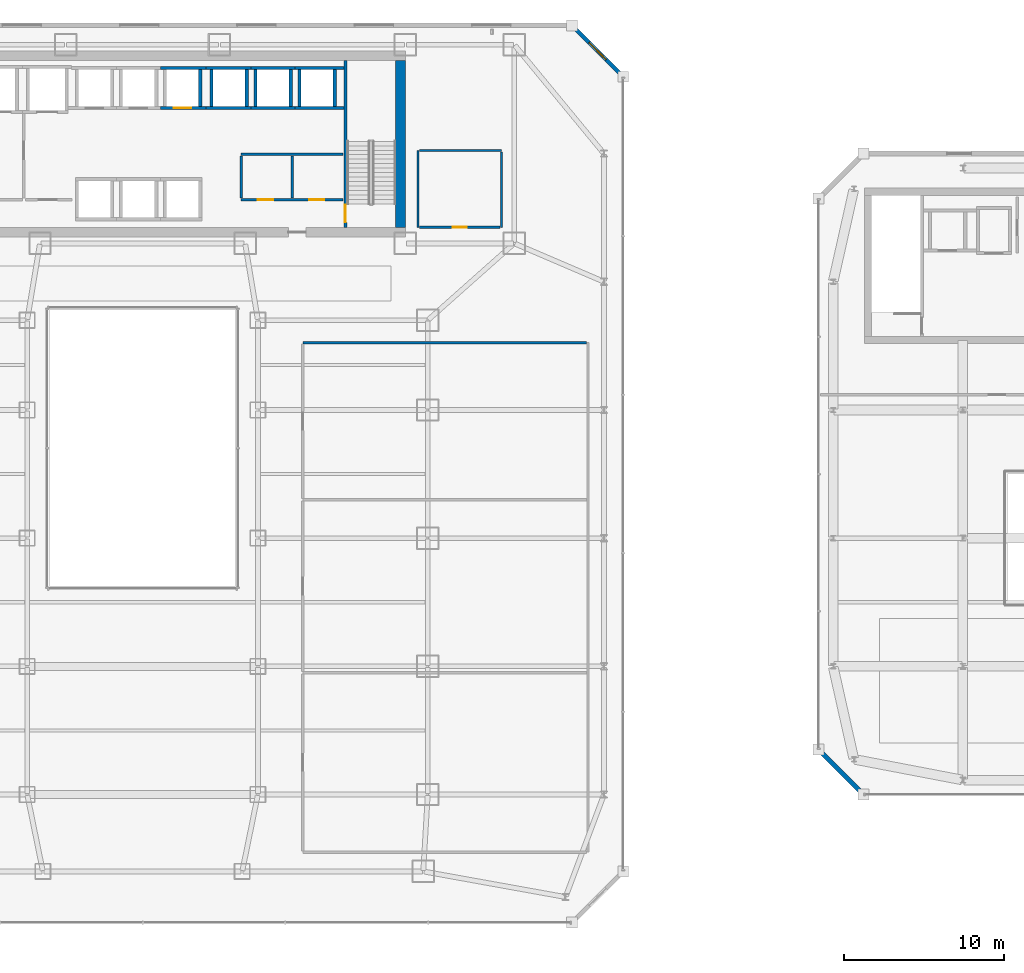
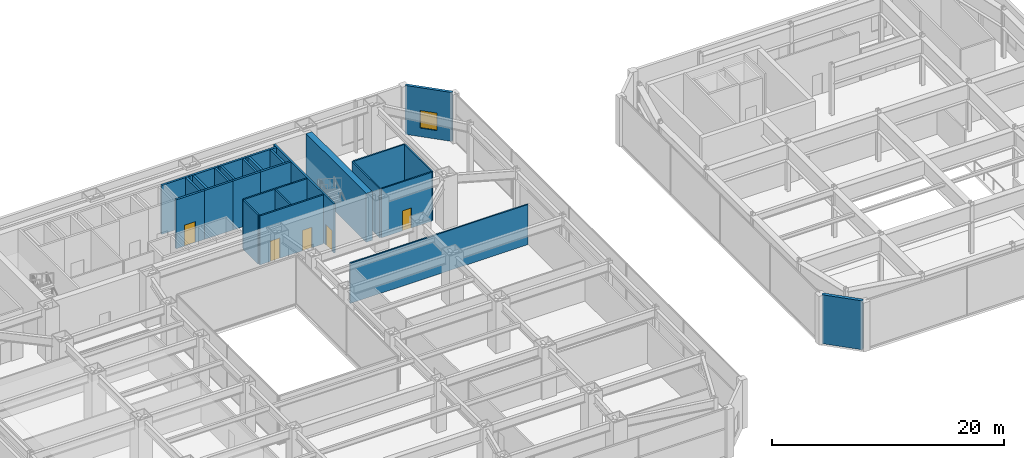
# One storey, part 45 of 53: 28 walls, 5 doors, 1 window, 6 openings.
"""IFC4 building model written with IfcOpenShell, lengths in metres."""

from ifc_helpers import new_model, si_unit, direction, frame, frame_2d, origin, place, context, subcontext, project, spatial, rectangle, extrude, material, layer, layer_set, type_object, element, fill, save


model = new_model("IFC4")

# Units and contexts
model_context = context("Model", 3, precision=1e-05, world=origin(), true_north=direction((0.0, 1.0)))
body_context = subcontext(model_context, "Body", "Model", "MODEL_VIEW")
ifc_project = project(units=[si_unit("LENGTHUNIT", "METRE"), si_unit("AREAUNIT", "SQUARE_METRE"), si_unit("VOLUMEUNIT", "CUBIC_METRE"), si_unit("PLANEANGLEUNIT", "RADIAN"), si_unit("MASSUNIT", "GRAM", prefix="KILO")], contexts=[model_context])

# Site, building, storey
site_placement = place(None, origin())
site = spatial("IfcSite", under=ifc_project, at=site_placement, CompositionType="ELEMENT")
building_placement = place(site_placement, origin())
building = spatial("IfcBuilding", under=site, at=building_placement, Name="Saevonmaru Cultural Tower", CompositionType="ELEMENT")
storey_placement = place(building_placement, frame((0.0, 0.0, 22.199951171875)))
storey = spatial("IfcBuildingStorey", under=building, at=storey_placement, Name="L04", CompositionType="ELEMENT", Elevation=22.199951171875)

# Wall
ifc_material_1 = material(Name="Concrete C60/75", Category="concrete")
ifc_layer_1 = layer(ifc_material_1, 0.60009765625, Name="Concrete C60/75")
ifc_layer_set_1 = layer_set([ifc_layer_1], Name="Concrete C60/75")
wall_type_1 = type_object("IfcWallType", Name="WL-CORE-600", PredefinedType="SHEAR", material=ifc_layer_set_1)
wall_1_placement = place(storey_placement, frame((46.10009765625, 43.39990234375, 0.0), z_axis=(0.0, 0.0, 1.0), x_axis=(0.0, 1.0, 0.0)))
element("IfcWall", 1, at=wall_1_placement, inside=storey, type_object=wall_type_1, Name="L04 Tower RC core shear wall E", PredefinedType="SHEAR", context=body_context, shape_type="SweptSolid", body=[
    extrude(rectangle(XDim=10.400146484375, YDim=0.60009765625, at=frame_2d((5.2001953125, 0.0))), origin(), (0.0, 0.0, 1.0), 5.150146484375),
])

# Wall, openings, doors
ifc_material_2 = material(Name="Gypsum Fireboard Partition", Category="gypsum")
ifc_layer_2 = layer(ifc_material_2, 0.14990234375, Name="Gypsum Fireboard Partition")
ifc_layer_set_2 = layer_set([ifc_layer_2], Name="Gypsum Fireboard Partition")
wall_type_2 = type_object("IfcWallType", Name="WL-CORE-PART-150", PredefinedType="PARTITIONING", material=ifc_layer_set_2)
wall_2_placement = place(storey_placement, frame((36.14990234375, 45.1201171875, 0.0), z_axis=(0.0, 0.0, 1.0), x_axis=(1.0, 0.0, 0.0)))
wall_2 = element("IfcWall", 2, at=wall_2_placement, inside=storey, type_object=wall_type_2, Name="L04 Core Cluster South Wall", PredefinedType="PARTITIONING", context=body_context, shape_type="SweptSolid", body=[
    extrude(rectangle(XDim=6.35009765625, YDim=0.14990234375, at=frame_2d((3.175048828125, 0.0))), origin(), (0.0, 0.0, 1.0), 5.150146484375),
])
opening_1_placement = place(wall_2_placement, frame((1.050048828125, 0.0, 0.0)))
opening_1 = element("IfcOpeningElement", 3, at=opening_1_placement, cuts=wall_2, Name="Opening FD-4", PredefinedType="OPENING", context=body_context, shape_type="SweptSolid", body=[
    extrude(rectangle(XDim=0.949951171875, YDim=2.14990234375, at=frame_2d((0.47509765625, 1.074951171875))), frame((0.0, 0.0849609375, 0.0), z_axis=(0.0, -1.0, 0.0), x_axis=(1.0, 0.0, 0.0)), (0.0, 0.0, 1.0), 0.169921875),
])
opening_2_placement = place(wall_2_placement, frame((4.25, 0.0, 0.0)))
opening_2 = element("IfcOpeningElement", 4, at=opening_2_placement, cuts=wall_2, Name="Opening FD-4", PredefinedType="OPENING", context=body_context, shape_type="SweptSolid", body=[
    extrude(rectangle(XDim=0.949951171875, YDim=2.14990234375, at=frame_2d((0.47509765625, 1.074951171875))), frame((0.0, 0.0849609375, 0.0), z_axis=(0.0, -1.0, 0.0), x_axis=(1.0, 0.0, 0.0)), (0.0, 0.0, 1.0), 0.169921875),
])
ifc_material_3 = material(Name="Satin Bronze Anodised Aluminium", Category="aluminium")
door_type_1 = type_object("IfcDoorType", Name="DR-FD60-950", OperationType="SINGLE_SWING_LEFT", PredefinedType="DOOR", material=ifc_material_3)
door_1_placement = place(opening_1_placement, origin())
door_1 = element("IfcDoor", 5, at=door_1_placement, inside=storey, type_object=door_type_1, Name="L04 BMS Control Room Door", OperationType="SINGLE_SWING_LEFT", OverallHeight=2.14990234375, OverallWidth=0.949951171875, PredefinedType="DOOR", context=body_context, shape_type="SweptSolid", body=[
    extrude(rectangle(XDim=0.949951171875, YDim=2.14990234375, at=frame_2d((0.47509765625, 1.074951171875))), frame((0.0, 0.02490234375, 0.0), z_axis=(0.0, -1.0, 0.0), x_axis=(1.0, 0.0, 0.0)), (0.0, 0.0, 1.0), 0.050048828125),
])
fill(opening_1, door_1)
door_2_placement = place(opening_2_placement, origin())
door_2 = element("IfcDoor", 6, at=door_2_placement, inside=storey, type_object=door_type_1, Name="L04 Fibre Node Plant Door", OperationType="SINGLE_SWING_LEFT", OverallHeight=2.14990234375, OverallWidth=0.949951171875, PredefinedType="DOOR", context=body_context, shape_type="SweptSolid", body=[
    extrude(rectangle(XDim=0.949951171875, YDim=2.14990234375, at=frame_2d((0.47509765625, 1.074951171875))), frame((0.0, 0.02490234375, 0.0), z_axis=(0.0, -1.0, 0.0), x_axis=(1.0, 0.0, 0.0)), (0.0, 0.0, 1.0), 0.050048828125),
])
fill(opening_2, door_2)

# Walls
wall_3_placement = place(storey_placement, frame((36.14990234375, 47.949951171875, 0.0), z_axis=(0.0, 0.0, 1.0), x_axis=(1.0, 0.0, 0.0)))
element("IfcWall", 7, at=wall_3_placement, inside=storey, type_object=wall_type_2, Name="L04 Core Cluster North Wall", PredefinedType="PARTITIONING", context=body_context, shape_type="SweptSolid", body=[
    extrude(rectangle(XDim=6.35009765625, YDim=0.14990234375, at=frame_2d((3.175048828125, 0.0))), origin(), (0.0, 0.0, 1.0), 5.150146484375),
])
for number, where, z_axis, x_axis, name in (
    (8, (36.14990234375, 45.219970703125, 0.0), (0.0, 0.0, 1.0), (0.0, 1.0, 0.0), "L04 Core Cluster West Wall"),
    (9, (39.35009765625, 45.219970703125, 0.0), (0.0, 0.0, 1.0), (0.0, 1.0, 0.0), "L04 Core Cluster Inner Split"),
):
    element("IfcWall", number, at=place(storey_placement, frame(where, z_axis=z_axis, x_axis=x_axis)), inside=storey, type_object=wall_type_2, Name=name, PredefinedType="PARTITIONING", context=body_context, shape_type="SweptSolid", body=[
        extrude(rectangle(XDim=2.630126953125, YDim=0.14990234375, at=frame_2d((1.31494140625, 0.0))), origin(), (0.0, 0.0, 1.0), 5.150146484375),
    ])
ifc_material_4 = material(Name="Warm Limestone Precast Concrete C40/50", Category="masonry")
ifc_layer_3 = layer(ifc_material_4, 0.300048828125, Name="Warm Limestone Precast Concrete C40/50")
ifc_layer_set_3 = layer_set([ifc_layer_3], Name="Warm Limestone Precast Concrete C40/50")
wall_type_3 = type_object("IfcWallType", Name="WL-EXT-LIB-300", PredefinedType="STANDARD", material=ifc_layer_set_3)
wall_4_placement = place(storey_placement, frame((72.31298828125, 10.68701171875, 0.0), z_axis=(0.0, 0.0, 1.0), x_axis=(0.707106781187, -0.707106781187, 0.0)))
element("IfcWall", 10, at=wall_4_placement, inside=storey, type_object=wall_type_3, Name="L04 Central Library Fluted Stone Wall E1", PredefinedType="STANDARD", context=body_context, shape_type="SweptSolid", body=[
    extrude(rectangle(XDim=3.64013671875, YDim=0.300048828125, at=frame_2d((1.820068359375, 0.0))), origin(), (0.0, 0.0, 1.0), 5.150146484375),
])

# Wall, opening, window
ifc_material_5 = material(Name="Granite-Clad Precast Concrete C40/50", Category="masonry")
ifc_layer_4 = layer(ifc_material_5, 0.260009765625, Name="Granite-Clad Precast Concrete C40/50")
ifc_layer_set_4 = layer_set([ifc_layer_4], Name="Granite-Clad Precast Concrete C40/50")
wall_type_4 = type_object("IfcWallType", Name="WL-EXT-SPANDREL-260", PredefinedType="STANDARD", material=ifc_layer_set_4)
wall_5_placement = place(storey_placement, frame((59.886962890625, 52.9130859375, 0.0), z_axis=(0.0, 0.0, 1.0), x_axis=(-0.707106781187, 0.707106781187, 0.0)))
wall_5 = element("IfcWall", 11, at=wall_5_placement, inside=storey, type_object=wall_type_4, Name="L04 Podium Bronze-Granite Exterior Wall E5", PredefinedType="STANDARD", context=body_context, shape_type="SweptSolid", body=[
    extrude(rectangle(XDim=4.205810546875, YDim=0.260009765625, at=frame_2d((2.10302734375, 0.0))), origin(), (0.0, 0.0, 1.0), 5.150146484375),
])
opening_3_placement = place(wall_5_placement, frame((1.35302734375, 0.0, 0.89990234375)))
opening_3 = element("IfcOpeningElement", 12, at=opening_3_placement, cuts=wall_5, Name="Opening W-2B", PredefinedType="OPENING", context=body_context, shape_type="SweptSolid", body=[
    extrude(rectangle(XDim=1.5, YDim=1.85009765625, at=frame_2d((0.75, 0.925048828125))), frame((0.0, 0.14013671875, 0.0), z_axis=(0.0, -1.0, 0.0), x_axis=(1.0, 0.0, 0.0)), (0.0, 0.0, 1.0), 0.280029296875),
])
window_type = type_object("IfcWindowType", Name="WN-DECO-1500x1850", PartitioningType="SINGLE_PANEL", PredefinedType="WINDOW", material=ifc_material_3)
window_placement = place(opening_3_placement, origin())
window = element("IfcWindow", 13, at=window_placement, inside=storey, type_object=window_type, Name="L04 Chamfer Bay Window E5", OverallHeight=1.85009765625, OverallWidth=1.5, PartitioningType="SINGLE_PANEL", PredefinedType="WINDOW", context=body_context, shape_type="SweptSolid", body=[
    extrude(rectangle(XDim=1.5, YDim=1.85009765625, at=frame_2d((0.75, 0.925048828125))), frame((0.0, 0.030029296875, 0.0), z_axis=(0.0, -1.0, 0.0), x_axis=(1.0, 0.0, 0.0)), (0.0, 0.0, 1.0), 0.06005859375),
])
fill(opening_3, window)

# Walls
ifc_layer_5 = layer(ifc_material_2, 0.135009765625, Name="Gypsum Fireboard Partition")
ifc_layer_set_5 = layer_set([ifc_layer_5], Name="Gypsum Fireboard Partition")
wall_type_5 = type_object("IfcWallType", Name="WL-PART-GYP-135", PredefinedType="PARTITIONING", material=ifc_layer_set_5)
wall_6_placement = place(storey_placement, frame((40.0, 36.199951171875, 0.0), z_axis=(0.0, 0.0, 1.0), x_axis=(1.0, 0.0, 0.0)))
element("IfcWall", 14, at=wall_6_placement, inside=storey, type_object=wall_type_5, Name="L04 East Suite Split 36.2", PredefinedType="PARTITIONING", context=body_context, shape_type="SweptSolid", body=[
    extrude(rectangle(XDim=17.705078125, YDim=0.135009765625, at=frame_2d((8.8525390625, 0.0))), origin(), (0.0, 0.0, 1.0), 4.235107421875),
])
ifc_layer_6 = layer(ifc_material_2, 0.139892578125, Name="Gypsum Fireboard Partition")
ifc_layer_set_6 = layer_set([ifc_layer_6], Name="Gypsum Fireboard Partition")
wall_type_6 = type_object("IfcWallType", Name="WL-PART-WET-140", PredefinedType="PARTITIONING", material=ifc_layer_set_6)
wall_7_placement = place(storey_placement, frame((47.199951171875, 43.39990234375, 0.0), z_axis=(0.0, 0.0, 1.0), x_axis=(0.0, 1.0, 0.0)))
element("IfcWall", 15, at=wall_7_placement, inside=storey, type_object=wall_type_6, Name="L04 Podium Washroom West Wall", PredefinedType="PARTITIONING", context=body_context, shape_type="SweptSolid", body=[
    extrude(rectangle(XDim=4.800048828125, YDim=0.139892578125, at=frame_2d((2.39990234375, 0.0))), origin(), (0.0, 0.0, 1.0), 5.150146484375),
])
wall_8_placement = place(storey_placement, frame((47.2900390625, 48.199951171875, 0.0), z_axis=(0.0, 0.0, 1.0), x_axis=(1.0, 0.0, 0.0)))
element("IfcWall", 16, at=wall_8_placement, inside=storey, type_object=wall_type_6, Name="L04 Podium Washroom North Wall", PredefinedType="PARTITIONING", context=body_context, shape_type="SweptSolid", body=[
    extrude(rectangle(XDim=5.10986328125, YDim=0.139892578125, at=frame_2d((2.554931640625, 0.0))), origin(), (0.0, 0.0, 1.0), 5.150146484375),
])
wall_9_placement = place(storey_placement, frame((52.39990234375, 43.39990234375, 0.0), z_axis=(0.0, 0.0, 1.0), x_axis=(0.0, 1.0, 0.0)))
element("IfcWall", 17, at=wall_9_placement, inside=storey, type_object=wall_type_6, Name="L04 Podium Washroom East Wall", PredefinedType="PARTITIONING", context=body_context, shape_type="SweptSolid", body=[
    extrude(rectangle(XDim=4.710205078125, YDim=0.139892578125, at=frame_2d((2.35498046875, 0.0))), origin(), (0.0, 0.0, 1.0), 5.150146484375),
])

# Wall, opening, door
wall_10_placement = place(storey_placement, frame((47.2900390625, 43.39990234375, 0.0), z_axis=(0.0, 0.0, 1.0), x_axis=(1.0, 0.0, 0.0)))
wall_10 = element("IfcWall", 18, at=wall_10_placement, inside=storey, type_object=wall_type_6, Name="L04 Podium Washroom South Wall", PredefinedType="PARTITIONING", context=body_context, shape_type="SweptSolid", body=[
    extrude(rectangle(XDim=5.02001953125, YDim=0.139892578125, at=frame_2d((2.510009765625, 0.0))), origin(), (0.0, 0.0, 1.0), 5.150146484375),
])
opening_4_placement = place(wall_10_placement, frame((2.06005859375, 0.0, 0.0)))
opening_4 = element("IfcOpeningElement", 19, at=opening_4_placement, cuts=wall_10, Name="Opening ID-2", PredefinedType="OPENING", context=body_context, shape_type="SweptSolid", body=[
    extrude(rectangle(XDim=0.89990234375, YDim=2.10009765625, at=frame_2d((0.449951171875, 1.050048828125))), frame((0.0, 0.080078125, 0.0), z_axis=(0.0, -1.0, 0.0), x_axis=(1.0, 0.0, 0.0)), (0.0, 0.0, 1.0), 0.159912109375),
])
ifc_material_6 = material(Name="Acoustic Stained Oak Timber", Category="wood")
door_type_2 = type_object("IfcDoorType", Name="DR-INT-900", OperationType="SINGLE_SWING_RIGHT", PredefinedType="DOOR", material=ifc_material_6)
door_3_placement = place(opening_4_placement, origin())
door_3 = element("IfcDoor", 20, at=door_3_placement, inside=storey, type_object=door_type_2, Name="L04 Accessible Washroom Door", OperationType="SINGLE_SWING_RIGHT", OverallHeight=2.10009765625, OverallWidth=0.89990234375, PredefinedType="DOOR", context=body_context, shape_type="SweptSolid", body=[
    extrude(rectangle(XDim=0.89990234375, YDim=2.10009765625, at=frame_2d((0.449951171875, 1.050048828125))), frame((0.0, 0.02490234375, 0.0), z_axis=(0.0, -1.0, 0.0), x_axis=(1.0, 0.0, 0.0)), (0.0, 0.0, 1.0), 0.050048828125),
])
fill(opening_4, door_3)

ifc_material_7 = material(Name="Concrete C40/50", Category="concrete")
ifc_layer_7 = layer(ifc_material_7, 0.199951171875, Name="Concrete C40/50")
ifc_layer_set_7 = layer_set([ifc_layer_7], Name="Concrete C40/50")
wall_type_7 = type_object("IfcWallType", Name="WL-SHAFT-200", PredefinedType="SHEAR", material=ifc_layer_set_7)
wall_11_placement = place(storey_placement, frame((31.125, 50.85009765625, 0.0), z_axis=(0.0, 0.0, 1.0), x_axis=(1.0, 0.0, 0.0)))
wall_11 = element("IfcWall", 21, at=wall_11_placement, inside=storey, type_object=wall_type_7, Name="L04 Lift PL-L3 Hoistway Wall S", PredefinedType="SHEAR", context=body_context, shape_type="SweptSolid", body=[
    extrude(rectangle(XDim=2.824951171875, YDim=0.199951171875, at=frame_2d((1.41259765625, 0.0))), origin(), (0.0, 0.0, 1.0), 5.150146484375),
])
opening_5_placement = place(wall_11_placement, frame((0.824951171875, 0.0, 0.0)))
opening_5 = element("IfcOpeningElement", 22, at=opening_5_placement, cuts=wall_11, Name="Opening LD-1", PredefinedType="OPENING", context=body_context, shape_type="SweptSolid", body=[
    extrude(rectangle(XDim=1.10009765625, YDim=2.199951171875, at=frame_2d((0.550048828125, 1.10009765625))), frame((0.0, 0.10986328125, 0.0), z_axis=(0.0, -1.0, 0.0), x_axis=(1.0, 0.0, 0.0)), (0.0, 0.0, 1.0), 0.219970703125),
])
ifc_material_8 = material(Name="Satin Bronze Stainless Steel", Category="steel")
door_type_3 = type_object("IfcDoorType", Name="DR-LIFT-1100", OperationType="SLIDING_TO_LEFT", PredefinedType="DOOR", material=ifc_material_8)
door_4_placement = place(opening_5_placement, origin())
door_4 = element("IfcDoor", 23, at=door_4_placement, inside=storey, type_object=door_type_3, Name="L04 Lift PL-L3 Sliding Landing Door", OperationType="SLIDING_TO_LEFT", OverallHeight=2.199951171875, OverallWidth=1.10009765625, PredefinedType="DOOR", context=body_context, shape_type="SweptSolid", body=[
    extrude(rectangle(XDim=1.10009765625, YDim=2.199951171875, at=frame_2d((0.550048828125, 1.10009765625))), frame((0.0, 0.02490234375, 0.0), z_axis=(0.0, -1.0, 0.0), x_axis=(1.0, 0.0, 0.0)), (0.0, 0.0, 1.0), 0.050048828125),
])
fill(opening_5, door_4)

# Walls
wall_12_placement = place(storey_placement, frame((31.125, 53.35009765625, 0.0), z_axis=(0.0, 0.0, 1.0), x_axis=(1.0, 0.0, 0.0)))
element("IfcWall", 24, at=wall_12_placement, inside=storey, type_object=wall_type_7, Name="L04 Lift PL-L3 Hoistway Wall N", PredefinedType="SHEAR", context=body_context, shape_type="SweptSolid", body=[
    extrude(rectangle(XDim=2.824951171875, YDim=0.199951171875, at=frame_2d((1.41259765625, 0.0))), origin(), (0.0, 0.0, 1.0), 5.150146484375),
])
wall_13_placement = place(storey_placement, frame((33.60009765625, 50.949951171875, 0.0), z_axis=(0.0, 0.0, 1.0), x_axis=(0.0, 1.0, 0.0)))
element("IfcWall", 25, at=wall_13_placement, inside=storey, type_object=wall_type_7, Name="L04 Lift PL-L3 Hoistway Wall E", PredefinedType="SHEAR", context=body_context, shape_type="SweptSolid", body=[
    extrude(rectangle(XDim=2.300048828125, YDim=0.199951171875, at=frame_2d((1.14990234375, 0.0))), origin(), (0.0, 0.0, 1.0), 5.150146484375),
])
for number, where, z_axis, x_axis, name in (
    (26, (33.949951171875, 50.85009765625, 0.0), (0.0, 0.0, 1.0), (1.0, 0.0, 0.0), "L04 Lift PL-H1 Hoistway Wall S"),
    (27, (33.949951171875, 53.35009765625, 0.0), (0.0, 0.0, 1.0), (1.0, 0.0, 0.0), "L04 Lift PL-H1 Hoistway Wall N"),
):
    element("IfcWall", number, at=place(storey_placement, frame(where, z_axis=z_axis, x_axis=x_axis)), inside=storey, type_object=wall_type_7, Name=name, PredefinedType="SHEAR", context=body_context, shape_type="SweptSolid", body=[
        extrude(rectangle(XDim=2.824951171875, YDim=0.199951171875, at=frame_2d((1.41259765625, 0.0))), origin(), (0.0, 0.0, 1.0), 5.150146484375),
    ])
for number, where, z_axis, x_axis, name in (
    (28, (34.300048828125, 50.949951171875, 0.0), (0.0, 0.0, 1.0), (0.0, 1.0, 0.0), "L04 Lift PL-H1 Hoistway Wall W"),
    (29, (36.5, 50.949951171875, 0.0), (0.0, 0.0, 1.0), (0.0, 1.0, 0.0), "L04 Lift PL-H1 Hoistway Wall E"),
):
    element("IfcWall", number, at=place(storey_placement, frame(where, z_axis=z_axis, x_axis=x_axis)), inside=storey, type_object=wall_type_7, Name=name, PredefinedType="SHEAR", context=body_context, shape_type="SweptSolid", body=[
        extrude(rectangle(XDim=2.300048828125, YDim=0.199951171875, at=frame_2d((1.14990234375, 0.0))), origin(), (0.0, 0.0, 1.0), 5.150146484375),
    ])
for number, where, z_axis, x_axis, name in (
    (30, (36.77490234375, 50.85009765625, 0.0), (0.0, 0.0, 1.0), (1.0, 0.0, 0.0), "L04 Lift PL-H2 Hoistway Wall S"),
    (31, (36.77490234375, 53.35009765625, 0.0), (0.0, 0.0, 1.0), (1.0, 0.0, 0.0), "L04 Lift PL-H2 Hoistway Wall N"),
):
    element("IfcWall", number, at=place(storey_placement, frame(where, z_axis=z_axis, x_axis=x_axis)), inside=storey, type_object=wall_type_7, Name=name, PredefinedType="SHEAR", context=body_context, shape_type="SweptSolid", body=[
        extrude(rectangle(XDim=2.75, YDim=0.199951171875, at=frame_2d((1.375, 0.0))), origin(), (0.0, 0.0, 1.0), 5.150146484375),
    ])
for number, where, z_axis, x_axis, name in (
    (32, (37.050048828125, 50.949951171875, 0.0), (0.0, 0.0, 1.0), (0.0, 1.0, 0.0), "L04 Lift PL-H2 Hoistway Wall W"),
    (33, (39.25, 50.949951171875, 0.0), (0.0, 0.0, 1.0), (0.0, 1.0, 0.0), "L04 Lift PL-H2 Hoistway Wall E"),
):
    element("IfcWall", number, at=place(storey_placement, frame(where, z_axis=z_axis, x_axis=x_axis)), inside=storey, type_object=wall_type_7, Name=name, PredefinedType="SHEAR", context=body_context, shape_type="SweptSolid", body=[
        extrude(rectangle(XDim=2.300048828125, YDim=0.199951171875, at=frame_2d((1.14990234375, 0.0))), origin(), (0.0, 0.0, 1.0), 5.150146484375),
    ])
for number, where, z_axis, x_axis, name in (
    (34, (39.52490234375, 50.85009765625, 0.0), (0.0, 0.0, 1.0), (1.0, 0.0, 0.0), "L04 Lift PL-H3 Hoistway Wall S"),
    (35, (39.52490234375, 53.35009765625, 0.0), (0.0, 0.0, 1.0), (1.0, 0.0, 0.0), "L04 Lift PL-H3 Hoistway Wall N"),
):
    element("IfcWall", number, at=place(storey_placement, frame(where, z_axis=z_axis, x_axis=x_axis)), inside=storey, type_object=wall_type_7, Name=name, PredefinedType="SHEAR", context=body_context, shape_type="SweptSolid", body=[
        extrude(rectangle(XDim=3.045166015625, YDim=0.199951171875, at=frame_2d((1.5224609375, 0.0))), origin(), (0.0, 0.0, 1.0), 5.150146484375),
    ])
for number, where, z_axis, x_axis, name in (
    (36, (39.800048828125, 50.949951171875, 0.0), (0.0, 0.0, 1.0), (0.0, 1.0, 0.0), "L04 Lift PL-H3 Hoistway Wall W"),
    (37, (42.0, 50.949951171875, 0.0), (0.0, 0.0, 1.0), (0.0, 1.0, 0.0), "L04 Lift PL-H3 Hoistway Wall E"),
):
    element("IfcWall", number, at=place(storey_placement, frame(where, z_axis=z_axis, x_axis=x_axis)), inside=storey, type_object=wall_type_7, Name=name, PredefinedType="SHEAR", context=body_context, shape_type="SweptSolid", body=[
        extrude(rectangle(XDim=2.300048828125, YDim=0.199951171875, at=frame_2d((1.14990234375, 0.0))), origin(), (0.0, 0.0, 1.0), 5.150146484375),
    ])

# Wall, opening, door
ifc_layer_8 = layer(ifc_material_7, 0.179931640625, Name="Concrete C40/50")
ifc_layer_set_8 = layer_set([ifc_layer_8], Name="Concrete C40/50")
wall_type_8 = type_object("IfcWallType", Name="WL-STSHAFT-180", PredefinedType="SHEAR", material=ifc_layer_set_8)
wall_14_placement = place(storey_placement, frame((42.659912109375, 53.800048828125, 0.0), z_axis=(0.0, 0.0, 1.0), x_axis=(0.0, -1.0, 0.0)))
wall_14 = element("IfcWall", 38, at=wall_14_placement, inside=storey, type_object=wall_type_8, Name="L04 Stair ST-2 Structural Shaft Wall 1", PredefinedType="SHEAR", context=body_context, shape_type="SweptSolid", body=[
    extrude(rectangle(XDim=10.400146484375, YDim=0.179931640625, at=frame_2d((5.2001953125, 0.0))), origin(), (0.0, 0.0, 1.0), 5.150146484375),
])
opening_6_placement = place(wall_14_placement, frame((8.989990234375, 0.0, 0.0)))
opening_6 = element("IfcOpeningElement", 39, at=opening_6_placement, cuts=wall_14, Name="Opening FD-2", PredefinedType="OPENING", context=body_context, shape_type="SweptSolid", body=[
    extrude(rectangle(XDim=1.10009765625, YDim=2.14990234375, at=frame_2d((0.550048828125, 1.074951171875))), frame((0.0, 0.10009765625, 0.0), z_axis=(0.0, -1.0, 0.0), x_axis=(1.0, 0.0, 0.0)), (0.0, 0.0, 1.0), 0.199951171875),
])
door_type_4 = type_object("IfcDoorType", Name="DR-FD60-1100", OperationType="SINGLE_SWING_LEFT", PredefinedType="DOOR", material=ifc_material_3)
door_5_placement = place(opening_6_placement, origin())
door_5 = element("IfcDoor", 40, at=door_5_placement, inside=storey, type_object=door_type_4, Name="L04 Protected Stair ST-2 Fire Door", OperationType="SINGLE_SWING_LEFT", OverallHeight=2.14990234375, OverallWidth=1.10009765625, PredefinedType="DOOR", context=body_context, shape_type="SweptSolid", body=[
    extrude(rectangle(XDim=1.10009765625, YDim=2.14990234375, at=frame_2d((0.550048828125, 1.074951171875))), frame((0.0, 0.02490234375, 0.0), z_axis=(0.0, -1.0, 0.0), x_axis=(1.0, 0.0, 0.0)), (0.0, 0.0, 1.0), 0.050048828125),
])
fill(opening_6, door_5)

save(model, "model.ifc")
